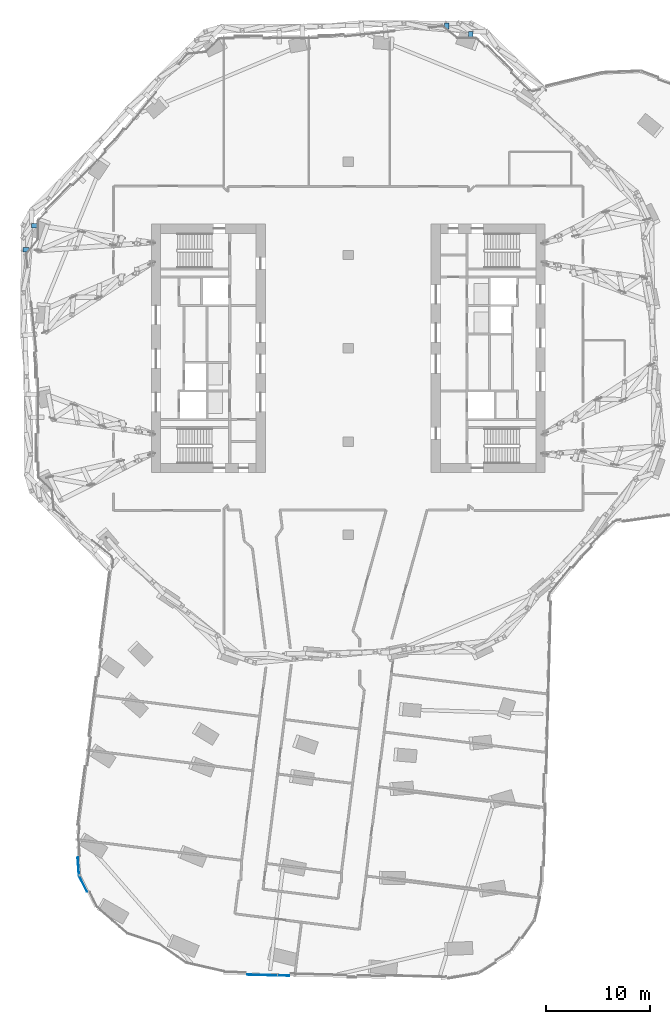
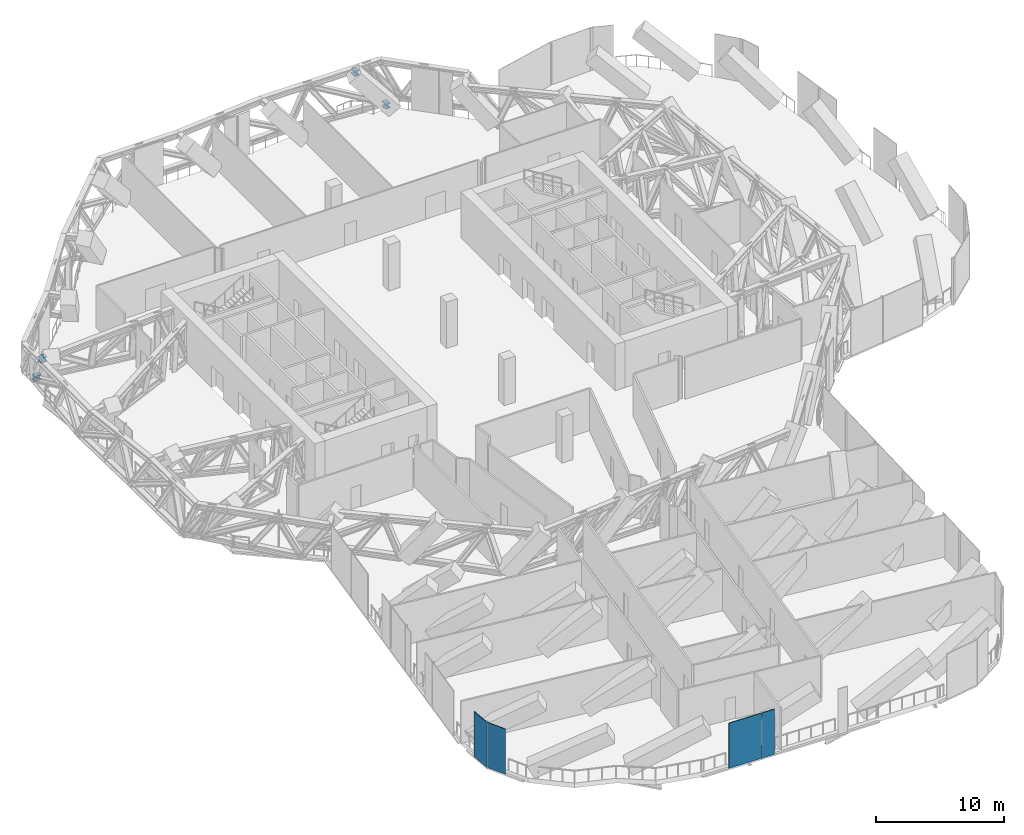
# One storey, part 14 of 27: 4 members, 4 plates, 3 elements without a shape of their own.
"""IFC4 building model written with IfcOpenShell, lengths in metres."""

from ifc_helpers import new_model, si_unit, direction, frame, origin, origin_2d, place, context, subcontext, project, spatial, rectangle, i_section, extrude, material, layer, layer_set, material_profile, profile_set, type_object, element, aggregate, save


model = new_model("IFC4")

# Units and contexts
model_context = context("Model", 3, precision=1e-05, world=origin(), true_north=direction((0.0, 1.0)))
body_context = subcontext(model_context, "Body", "Model", "MODEL_VIEW")
ifc_project = project(units=[si_unit("LENGTHUNIT", "METRE"), si_unit("AREAUNIT", "SQUARE_METRE"), si_unit("VOLUMEUNIT", "CUBIC_METRE"), si_unit("PLANEANGLEUNIT", "RADIAN"), si_unit("MASSUNIT", "GRAM", prefix="KILO")], contexts=[model_context])

# Site, building, storey
site_placement = place(None, origin())
site = spatial("IfcSite", under=ifc_project, at=site_placement, CompositionType="ELEMENT")
building_placement = place(site_placement, origin())
building = spatial("IfcBuilding", under=site, at=building_placement, Name="Orlundy Tower", CompositionType="ELEMENT")
storey_placement = place(building_placement, frame((0.0, 0.0, 206.10009765625)))
storey = spatial("IfcBuildingStorey", under=building, at=storey_placement, Name="L54", CompositionType="ELEMENT", Elevation=206.10009765625)

# Members
ifc_material_1 = material(Name="Steel ASTM A992 Gr 50", Category="steel")
ifc_material_profile = material_profile(ifc_material_1, i_section(OverallWidth=0.43212890625, OverallDepth=0.497802734375, WebThickness=0.0556640625, FlangeThickness=0.0888671875, at=origin_2d()), Name="W14X500")
ifc_profile_set = profile_set([ifc_material_profile], Name="Steel ASTM A992 Gr 50")
member_type = type_object("IfcMemberType", Name="BELT TRUSS strut W14X500", PredefinedType="STRUT", material=ifc_profile_set)
for number, where, z_axis, x_axis, name in (
    (1, (11.812255859375, 29.974853515625, 0.28466796875), (-0.005877312426, 0.99998272845, 0.0), (-0.99998272845, -0.005877312426, 0.0), "Belt truss bracket C-H01"),
    (2, (9.49755859375, 30.787353515625, 3.715087890625), (-0.005877312426, 0.99998272845, 0.0), (-0.99998272845, -0.005877312426, 0.0), "Belt truss bracket C-H01"),
    (3, (-29.974853515625, 11.812255859375, 0.28466796875), (-0.99998272845, -0.005877312426, 0.0), (0.005877312426, -0.99998272845, 0.0), "Belt truss bracket C-H19"),
    (4, (-30.787353515625, 9.49755859375, 3.715087890625), (-0.99998272845, -0.005877312426, 0.0), (0.005877312426, -0.99998272845, 0.0), "Belt truss bracket C-H19"),
):
    element("IfcMember", number, at=place(storey_placement, frame(where, z_axis=z_axis, x_axis=x_axis)), inside=storey, type_object=member_type, Name=name, PredefinedType="STRUT", context=body_context, shape_type="SweptSolid", body=[
        extrude(i_section(OverallWidth=0.43212890625, OverallDepth=0.497802734375, WebThickness=0.0556640625, FlangeThickness=0.0888671875, at=origin_2d()), origin(), (0.0, 0.0, 1.0), 0.58154296875),
    ])

# Curtain wall, plates
ifc_material_2 = material(Name="Aluminium bronze anodised", Category="aluminium")
curtain_wall_type = type_object("IfcCurtainWallType", Name="CW4 wall", PredefinedType="NOTDEFINED", material=ifc_material_2)
curtain_wall_1_placement = place(storey_placement, origin())
curtain_wall_1 = element("IfcCurtainWall", 5, at=curtain_wall_1_placement, inside=storey, type_object=curtain_wall_type, Name="CW4 run 037", PredefinedType="NOTDEFINED")
ifc_material_3 = material(Name="Louvre aluminium bronze anodised", Category="aluminium")
ifc_layer = layer(ifc_material_3, 0.06005859375)
ifc_layer_set = layer_set([ifc_layer], Name="CW4 louvre panel 60")
plate_type = type_object("IfcPlateType", Name="CW4 louvre panel 60", PredefinedType="CURTAIN_PANEL", material=ifc_layer_set)
plate_1_placement = place(storey_placement, frame((-6.251220703125, -60.52685546875, -0.30029296875), z_axis=(0.0, 0.0, 1.0), x_axis=(-0.999656977295, 0.026190222342, 0.0)))
plate_1 = element("IfcPlate", 6, at=plate_1_placement, type_object=plate_type, Name="CW4 louvre", PredefinedType="CURTAIN_PANEL", context=body_context, shape_type="SweptSolid", body=[
    extrude(rectangle(XDim=1.110595703125, YDim=0.06005859375, at=origin_2d()), origin(), (0.0, 0.0, 1.0), 4.300048828125),
])
plate_2_placement = place(storey_placement, frame((-8.31005859375, -60.472900390625, -0.30029296875), z_axis=(0.0, 0.0, 1.0), x_axis=(-0.999656977295, 0.026190222342, 0.0)))
plate_2 = element("IfcPlate", 7, at=plate_2_placement, type_object=plate_type, Name="CW4 louvre", PredefinedType="CURTAIN_PANEL", context=body_context, shape_type="SweptSolid", body=[
    extrude(rectangle(XDim=2.888671875, YDim=0.06005859375, at=origin_2d()), origin(), (0.0, 0.0, 1.0), 4.300048828125),
])
aggregate(curtain_wall_1, [plate_1, plate_2])

# Curtain wall, plate
curtain_wall_2_placement = place(storey_placement, origin())
curtain_wall_2 = element("IfcCurtainWall", 8, at=curtain_wall_2_placement, inside=storey, type_object=curtain_wall_type, Name="CW4 run 042", PredefinedType="NOTDEFINED")
plate_3_placement = place(storey_placement, frame((-25.5908203125, -51.6455078125, -0.30029296875), z_axis=(0.0, 0.0, 1.0), x_axis=(-0.447645268798, 0.894211224109, 0.0)))
plate_3 = element("IfcPlate", 9, at=plate_3_placement, type_object=plate_type, Name="CW4 louvre", PredefinedType="CURTAIN_PANEL", context=body_context, shape_type="SweptSolid", body=[
    extrude(rectangle(XDim=1.76171875, YDim=0.06005859375, at=origin_2d()), origin(), (0.0, 0.0, 1.0), 4.300048828125),
])
aggregate(curtain_wall_2, [plate_3])

curtain_wall_3_placement = place(storey_placement, origin())
curtain_wall_3 = element("IfcCurtainWall", 10, at=curtain_wall_3_placement, inside=storey, type_object=curtain_wall_type, Name="CW4 run 043", PredefinedType="NOTDEFINED")
plate_4_placement = place(storey_placement, frame((-26.046875, -49.993408203125, -0.30029296875), z_axis=(0.0, 0.0, 1.0), x_axis=(-0.071208712685, 0.997461437469, 0.0)))
plate_4 = element("IfcPlate", 11, at=plate_4_placement, type_object=plate_type, Name="CW4 louvre", PredefinedType="CURTAIN_PANEL", context=body_context, shape_type="SweptSolid", body=[
    extrude(rectangle(XDim=1.733154296875, YDim=0.06005859375, at=origin_2d()), origin(), (0.0, 0.0, 1.0), 4.300048828125),
])
aggregate(curtain_wall_3, [plate_4])

save(model, "model.ifc")
